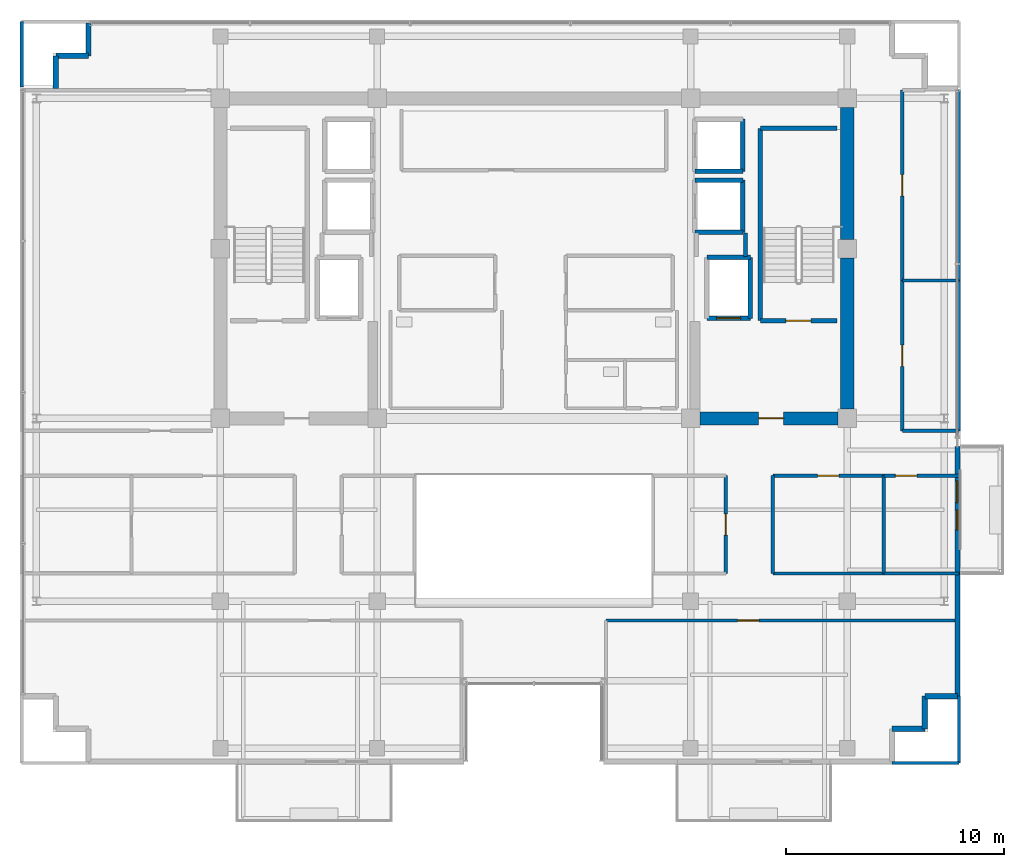
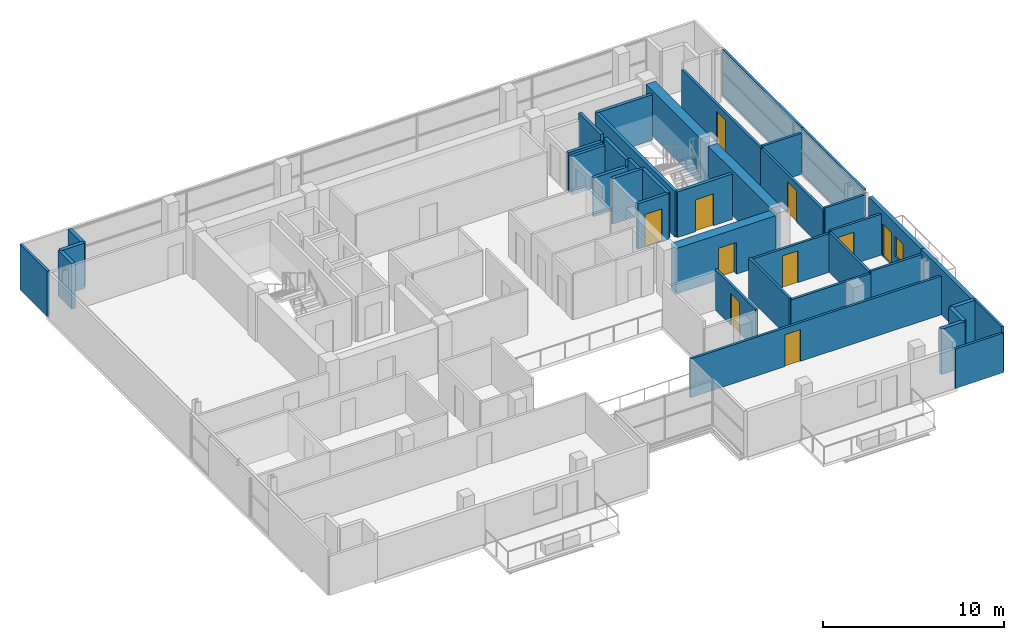
# One storey, part 18 of 23: 40 walls, 10 doors, 1 window, 11 openings.
"""IFC4 building model written with IfcOpenShell, lengths in metres."""

from ifc_helpers import new_model, si_unit, direction, frame, frame_2d, origin, place, context, subcontext, project, spatial, rectangle, extrude, source, transform, mapped, material, layer, layer_set, type_object, element, fill, save


model = new_model("IFC4")

# Units and contexts
model_context = context("Model", 3, precision=1e-05, world=origin(), true_north=direction((0.0, 1.0)))
body_context = subcontext(model_context, "Body", "Model", "MODEL_VIEW")
ifc_project = project(units=[si_unit("LENGTHUNIT", "METRE"), si_unit("AREAUNIT", "SQUARE_METRE"), si_unit("VOLUMEUNIT", "CUBIC_METRE"), si_unit("PLANEANGLEUNIT", "RADIAN"), si_unit("MASSUNIT", "GRAM", prefix="KILO")], contexts=[model_context])

# Site, building, storey
site_placement = place(None, origin())
site = spatial("IfcSite", under=ifc_project, at=site_placement, CompositionType="ELEMENT")
building_placement = place(site_placement, origin())
building = spatial("IfcBuilding", under=site, at=building_placement, Name="Zarnakvel Exchange Tower", CompositionType="ELEMENT")
storey_placement = place(building_placement, frame((0.0, 0.0, 212.199951171875)))
storey = spatial("IfcBuildingStorey", under=building, at=storey_placement, Name="L59", CompositionType="ELEMENT", Elevation=212.199951171875)

# Walls
ifc_material_1 = material(Name="Concrete C50/60", Category="concrete")
ifc_layer_1 = layer(ifc_material_1, 0.60009765625)
ifc_layer_set_1 = layer_set([ifc_layer_1], Name="Concrete C50/60")
wall_type_1 = type_object("IfcWallType", Name="CW-C5", PredefinedType="SHEAR", material=ifc_layer_set_1)
wall_1_placement = place(storey_placement, frame((14.39990234375, -0.77490234375, 0.0), z_axis=(0.0, 0.0, 1.0), x_axis=(0.0, 1.0, 0.0)))
element("IfcWall", 1, at=wall_1_placement, inside=storey, type_object=wall_type_1, Name="L59 Rear Core Shear Wall E1 (CW-C5)", PredefinedType="SHEAR", context=body_context, shape_type="SweptSolid", body=[
    extrude(rectangle(XDim=6.949951171875, YDim=0.60009765625, at=frame_2d((3.47509765625, 0.0))), origin(), (0.0, 0.0, 1.0), 3.074951171875),
])
wall_2_placement = place(storey_placement, frame((14.39990234375, 7.02490234375, 0.0), z_axis=(0.0, 0.0, 1.0), x_axis=(0.0, 1.0, 0.0)))
element("IfcWall", 2, at=wall_2_placement, inside=storey, type_object=wall_type_1, Name="L59 Rear Core Shear Wall E2 (CW-C5)", PredefinedType="SHEAR", context=body_context, shape_type="SweptSolid", body=[
    extrude(rectangle(XDim=6.050048828125, YDim=0.60009765625, at=frame_2d((3.02490234375, 0.0))), origin(), (0.0, 0.0, 1.0), 3.074951171875),
])

# Wall, opening, door
wall_3_placement = place(storey_placement, frame((13.97509765625, -1.199951171875, 0.0), z_axis=(0.0, 0.0, 1.0), x_axis=(-1.0, 0.0, 0.0)))
wall_3 = element("IfcWall", 3, at=wall_3_placement, inside=storey, type_object=wall_type_1, Name="L59 Rear Core Shear Wall SE (CW-C5)", PredefinedType="SHEAR", context=body_context, shape_type="SweptSolid", body=[
    extrude(rectangle(XDim=6.35009765625, YDim=0.60009765625, at=frame_2d((3.175048828125, 0.0))), origin(), (0.0, 0.0, 1.0), 3.074951171875),
])
opening_1_placement = place(wall_3_placement, frame((2.5, 0.0, 0.0)))
opening_1 = element("IfcOpeningElement", 4, at=opening_1_placement, cuts=wall_3, Name="Opening D-L59-04", PredefinedType="OPENING", context=body_context, shape_type="SweptSolid", body=[
    extrude(rectangle(XDim=1.14990234375, YDim=2.14990234375, at=frame_2d((0.574951171875, 1.074951171875))), frame((0.0, 0.31005859375, 0.0), z_axis=(0.0, -1.0, 0.0), x_axis=(1.0, 0.0, 0.0)), (0.0, 0.0, 1.0), 0.6201171875),
])
ifc_material_2 = material(Name="Painted Galvanised Steel S355", Category="steel")
door_type_1 = type_object("IfcDoorType", Name="DT-04", OperationType="NOTDEFINED", PredefinedType="DOOR", material=ifc_material_2)
shared_shape_1 = source(origin(), body_context, "Body", "SweptSolid", [
    extrude(rectangle(XDim=1.14990234375, YDim=2.14990234375, at=frame_2d((0.574951171875, 1.074951171875))), frame((0.0, 0.02490234375, 0.0), z_axis=(0.0, -1.0, 0.0), x_axis=(1.0, 0.0, 0.0)), (0.0, 0.0, 1.0), 0.050048828125),
])
door_1_placement = place(opening_1_placement, origin())
door_1 = element("IfcDoor", 5, at=door_1_placement, inside=storey, type_object=door_type_1, Name="L59 Firefighting Lobby East Door D-L59-04", OperationType="SINGLE_SWING_LEFT", OverallHeight=2.14990234375, OverallWidth=1.14990234375, PredefinedType="DOOR", context=body_context, shape_type="MappedRepresentation", body=[
    mapped(shared_shape_1, transform((0.0, 0.0, 0.0), x_axis=(1.0, 0.0, 0.0), y_axis=(0.0, 1.0, 0.0), z_axis=(0.0, 0.0, 1.0), scale=1.0)),
])
fill(opening_1, door_1)

# Wall, openings, door, window
ifc_material_3 = material(Name="Precast concrete C40/50", Category="concrete")
ifc_layer_2 = layer(ifc_material_3, 0.239990234375)
ifc_layer_set_2 = layer_set([ifc_layer_2], Name="Precast concrete C40/50")
wall_type_2 = type_object("IfcWallType", Name="EW-02", PredefinedType="SOLIDWALL", material=ifc_layer_set_2)
wall_4_placement = place(storey_placement, frame((19.4599609375, -2.5, 0.0), z_axis=(0.0, 0.0, 1.0), x_axis=(0.0, -1.0, 0.0)))
wall_4 = element("IfcWall", 6, at=wall_4_placement, inside=storey, type_object=wall_type_2, Name="L59 Exterior Precast Spandrel Wall EW-BAL-L59-E (EW-02)", PredefinedType="SOLIDWALL", context=body_context, shape_type="SweptSolid", body=[
    extrude(rectangle(XDim=5.800048828125, YDim=0.239990234375, at=frame_2d((2.89990234375, 0.0))), origin(), (0.0, 0.0, 1.0), 3.074951171875),
])
opening_2_placement = place(wall_4_placement, frame((1.56591796875, 0.0, 0.0)))
opening_2 = element("IfcOpeningElement", 7, at=opening_2_placement, cuts=wall_4, Name="Opening BD-L59-03", PredefinedType="OPENING", context=body_context, shape_type="SweptSolid", body=[
    extrude(rectangle(XDim=1.0, YDim=2.199951171875, at=frame_2d((0.5, 1.10009765625))), frame((0.0, 0.1298828125, 0.0), z_axis=(0.0, -1.0, 0.0), x_axis=(1.0, 0.0, 0.0)), (0.0, 0.0, 1.0), 0.260009765625),
])
opening_3_placement = place(wall_4_placement, frame((2.916015625, 0.0, 0.85009765625)))
opening_3 = element("IfcOpeningElement", 8, at=opening_3_placement, cuts=wall_4, Name="Opening WN-06", PredefinedType="OPENING", context=body_context, shape_type="SweptSolid", body=[
    extrude(rectangle(XDim=0.89990234375, YDim=1.35009765625, at=frame_2d((0.449951171875, 0.675048828125))), frame((0.0, 0.1298828125, 0.0), z_axis=(0.0, -1.0, 0.0), x_axis=(1.0, 0.0, 0.0)), (0.0, 0.0, 1.0), 0.260009765625),
])
ifc_material_4 = material(Name="Architectural Bronze Anodised Aluminium", Category="aluminium")
door_type_2 = type_object("IfcDoorType", Name="DT-09", OperationType="NOTDEFINED", PredefinedType="DOOR", material=ifc_material_4)
shared_shape_2 = source(origin(), body_context, "Body", "SweptSolid", [
    extrude(rectangle(XDim=1.0, YDim=2.199951171875, at=frame_2d((0.5, 1.10009765625))), frame((0.0, 0.02490234375, 0.0), z_axis=(0.0, -1.0, 0.0), x_axis=(1.0, 0.0, 0.0)), (0.0, 0.0, 1.0), 0.050048828125),
])
door_2_placement = place(opening_2_placement, origin())
door_2 = element("IfcDoor", 9, at=door_2_placement, inside=storey, type_object=door_type_2, Name="L59 Planted Loggia Balcony Door BD-L59-03", OperationType="SINGLE_SWING_LEFT", OverallHeight=2.199951171875, OverallWidth=1.0, PredefinedType="DOOR", context=body_context, shape_type="MappedRepresentation", body=[
    mapped(shared_shape_2, transform((0.0, 0.0, 0.0), x_axis=(1.0, 0.0, 0.0), y_axis=(0.0, 1.0, 0.0), z_axis=(0.0, 0.0, 1.0), scale=1.0)),
])
fill(opening_2, door_2)
ifc_material_5 = material(Name="Double Low-E Laminated Vision Glass", Category="glass")
window_type = type_object("IfcWindowType", Name="WN-06", PartitioningType="SINGLE_PANEL", PredefinedType="WINDOW", material=ifc_material_5)
shared_shape_3 = source(origin(), body_context, "Body", "SweptSolid", [
    extrude(rectangle(XDim=0.89990234375, YDim=1.35009765625, at=frame_2d((0.449951171875, 0.675048828125))), frame((0.0, 0.030029296875, 0.0), z_axis=(0.0, -1.0, 0.0), x_axis=(1.0, 0.0, 0.0)), (0.0, 0.0, 1.0), 0.06005859375),
])
window_placement = place(opening_3_placement, origin())
window = element("IfcWindow", 10, at=window_placement, inside=storey, type_object=window_type, Name="L59 Loggia Daylight Window (WN-06)", OverallHeight=1.35009765625, OverallWidth=0.89990234375, PartitioningType="SINGLE_PANEL", PredefinedType="WINDOW", context=body_context, shape_type="MappedRepresentation", body=[
    mapped(shared_shape_3, transform((0.0, 0.0, 0.0), x_axis=(1.0, 0.0, 0.0), y_axis=(0.0, 1.0, 0.0), z_axis=(0.0, 0.0, 1.0), scale=1.0)),
])
fill(opening_3, window)

# Walls
for number, where, z_axis, x_axis, name in (
    (11, (-21.9599609375, 15.4599609375, 0.0), (0.0, 0.0, 1.0), (0.0, -1.0, 0.0), "L59 Exterior Precast Spandrel Wall EWC-L59-02 (EW-02)"),
    (12, (-20.4599609375, 15.4599609375, 0.0), (0.0, 0.0, 1.0), (-1.0, 0.0, 0.0), "L59 Exterior Precast Spandrel Wall EWC-L59-03 (EW-02)"),
    (13, (-20.4599609375, 16.9599609375, 0.0), (0.0, 0.0, 1.0), (0.0, -1.0, 0.0), "L59 Exterior Precast Spandrel Wall EWC-L59-04 (EW-02)"),
):
    element("IfcWall", number, at=place(storey_placement, frame(where, z_axis=z_axis, x_axis=x_axis)), inside=storey, type_object=wall_type_2, Name=name, PredefinedType="SOLIDWALL", context=body_context, shape_type="SweptSolid", body=[
        extrude(rectangle(XDim=1.5, YDim=0.239990234375, at=frame_2d((0.75, 0.0))), origin(), (0.0, 0.0, 1.0), 3.074951171875),
    ])
wall_5_placement = place(storey_placement, frame((19.4599609375, -13.9599609375, 0.0), z_axis=(0.0, 0.0, 1.0), x_axis=(0.0, 1.0, 0.0)))
element("IfcWall", 14, at=wall_5_placement, inside=storey, type_object=wall_type_2, Name="L59 Exterior Precast Spandrel Wall EWC-L59-10 (EW-02)", PredefinedType="SOLIDWALL", context=body_context, shape_type="SweptSolid", body=[
    extrude(rectangle(XDim=5.659912109375, YDim=0.239990234375, at=frame_2d((2.830078125, 0.0))), origin(), (0.0, 0.0, 1.0), 3.074951171875),
])
for number, where, z_axis, x_axis, name in (
    (15, (17.9599609375, -13.9599609375, 0.0), (0.0, 0.0, 1.0), (1.0, 0.0, 0.0), "L59 Exterior Precast Spandrel Wall EWC-L59-11 (EW-02)"),
    (16, (17.9599609375, -15.4599609375, 0.0), (0.0, 0.0, 1.0), (0.0, 1.0, 0.0), "L59 Exterior Precast Spandrel Wall EWC-L59-12 (EW-02)"),
    (17, (16.4599609375, -15.4599609375, 0.0), (0.0, 0.0, 1.0), (1.0, 0.0, 0.0), "L59 Exterior Precast Spandrel Wall EWC-L59-13 (EW-02)"),
):
    element("IfcWall", number, at=place(storey_placement, frame(where, z_axis=z_axis, x_axis=x_axis)), inside=storey, type_object=wall_type_2, Name=name, PredefinedType="SOLIDWALL", context=body_context, shape_type="SweptSolid", body=[
        extrude(rectangle(XDim=1.5, YDim=0.239990234375, at=frame_2d((0.75, 0.0))), origin(), (0.0, 0.0, 1.0), 3.074951171875),
    ])
ifc_material_6 = material(Name="Fire-Rated Gypsum Stud Partition", Category="gypsum")
ifc_layer_3 = layer(ifc_material_6, 0.14990234375)
ifc_layer_set_3 = layer_set([ifc_layer_3], Name="Fire-Rated Gypsum Stud Partition")
wall_type_3 = type_object("IfcWallType", Name="PT-01", PredefinedType="PARTITIONING", material=ifc_layer_set_3)
wall_6_placement = place(storey_placement, frame((16.077880859375, -8.320068359375, 0.0), z_axis=(0.0, 0.0, 1.0), x_axis=(-1.0, 0.0, 0.0)))
element("IfcWall", 18, at=wall_6_placement, inside=storey, type_object=wall_type_3, Name="L59 Partition Wall PWALL-L59-044 (PT-01)", PredefinedType="PARTITIONING", context=body_context, shape_type="SweptSolid", body=[
    extrude(rectangle(XDim=5.097900390625, YDim=0.14990234375, at=frame_2d((2.548828125, 0.0))), origin(), (0.0, 0.0, 1.0), 2.614990234375),
])

# Wall, opening, door
wall_7_placement = place(storey_placement, frame((10.97998046875, -3.830078125, 0.0), z_axis=(0.0, 0.0, 1.0), x_axis=(1.0, 0.0, 0.0)))
wall_7 = element("IfcWall", 19, at=wall_7_placement, inside=storey, type_object=wall_type_3, Name="L59 Partition Wall PWALL-L59-045 (PT-01)", PredefinedType="PARTITIONING", context=body_context, shape_type="SweptSolid", body=[
    extrude(rectangle(XDim=5.097900390625, YDim=0.14990234375, at=frame_2d((2.548828125, 0.0))), origin(), (0.0, 0.0, 1.0), 2.614990234375),
])
opening_4_placement = place(wall_7_placement, frame((2.05908203125, 0.0, 0.0)))
opening_4 = element("IfcOpeningElement", 20, at=opening_4_placement, cuts=wall_7, Name="Opening D-L59-15", PredefinedType="OPENING", context=body_context, shape_type="SweptSolid", body=[
    extrude(rectangle(XDim=0.97998046875, YDim=2.14990234375, at=frame_2d((0.489990234375, 1.074951171875))), frame((0.0, 0.0849609375, 0.0), z_axis=(0.0, -1.0, 0.0), x_axis=(1.0, 0.0, 0.0)), (0.0, 0.0, 1.0), 0.169921875),
])
ifc_material_7 = material(Name="Timber Acoustic Veneer", Category="wood")
door_type_3 = type_object("IfcDoorType", Name="DT-05", OperationType="NOTDEFINED", PredefinedType="DOOR", material=ifc_material_7)
shared_shape_4 = source(origin(), body_context, "Body", "SweptSolid", [
    extrude(rectangle(XDim=0.97998046875, YDim=2.14990234375, at=frame_2d((0.489990234375, 1.074951171875))), frame((0.0, 0.02490234375, 0.0), z_axis=(0.0, -1.0, 0.0), x_axis=(1.0, 0.0, 0.0)), (0.0, 0.0, 1.0), 0.050048828125),
])
door_3_placement = place(opening_4_placement, origin())
door_3 = element("IfcDoor", 21, at=door_3_placement, inside=storey, type_object=door_type_3, Name="L59 Executive Office Door D-L59-15", OperationType="SINGLE_SWING_RIGHT", OverallHeight=2.14990234375, OverallWidth=0.97998046875, PredefinedType="DOOR", context=body_context, shape_type="MappedRepresentation", body=[
    mapped(shared_shape_4, transform((0.0, 0.0, 0.0), x_axis=(1.0, 0.0, 0.0), y_axis=(0.0, 1.0, 0.0), z_axis=(0.0, 0.0, 1.0), scale=1.0)),
])
fill(opening_4, door_3)

# Walls
for number, where, z_axis, x_axis, name in (
    (22, (10.97998046875, -8.320068359375, 0.0), (0.0, 0.0, 1.0), (0.0, 1.0, 0.0), "L59 Partition Wall PWALL-L59-046 (PT-01)"),
    (23, (16.077880859375, -3.830078125, 0.0), (0.0, 0.0, 1.0), (0.0, -1.0, 0.0), "L59 Partition Wall PWALL-L59-047 (PT-01)"),
):
    element("IfcWall", number, at=place(storey_placement, frame(where, z_axis=z_axis, x_axis=x_axis)), inside=storey, type_object=wall_type_3, Name=name, PredefinedType="PARTITIONING", context=body_context, shape_type="SweptSolid", body=[
        extrude(rectangle(XDim=4.489990234375, YDim=0.14990234375, at=frame_2d((2.2451171875, 0.0))), origin(), (0.0, 0.0, 1.0), 2.705078125),
    ])
wall_8_placement = place(storey_placement, frame((19.530029296875, -8.320068359375, 0.0), z_axis=(0.0, 0.0, 1.0), x_axis=(-1.0, 0.0, 0.0)))
element("IfcWall", 24, at=wall_8_placement, inside=storey, type_object=wall_type_3, Name="L59 Partition Wall PWALL-L59-048 (PT-01)", PredefinedType="PARTITIONING", context=body_context, shape_type="SweptSolid", body=[
    extrude(rectangle(XDim=3.4521484375, YDim=0.14990234375, at=frame_2d((1.72607421875, 0.0))), origin(), (0.0, 0.0, 1.0), 2.76513671875),
])

# Wall, opening, door
wall_9_placement = place(storey_placement, frame((16.077880859375, -3.830078125, 0.0), z_axis=(0.0, 0.0, 1.0), x_axis=(1.0, 0.0, 0.0)))
wall_9 = element("IfcWall", 25, at=wall_9_placement, inside=storey, type_object=wall_type_3, Name="L59 Partition Wall PWALL-L59-049 (PT-01)", PredefinedType="PARTITIONING", context=body_context, shape_type="SweptSolid", body=[
    extrude(rectangle(XDim=3.4521484375, YDim=0.14990234375, at=frame_2d((1.72607421875, 0.0))), origin(), (0.0, 0.0, 1.0), 2.76513671875),
])
opening_5_placement = place(wall_9_placement, frame((0.535888671875, 0.0, 0.0)))
opening_5 = element("IfcOpeningElement", 26, at=opening_5_placement, cuts=wall_9, Name="Opening D-L59-16", PredefinedType="OPENING", context=body_context, shape_type="SweptSolid", body=[
    extrude(rectangle(XDim=0.97998046875, YDim=2.14990234375, at=frame_2d((0.489990234375, 1.074951171875))), frame((0.0, 0.0849609375, 0.0), z_axis=(0.0, -1.0, 0.0), x_axis=(1.0, 0.0, 0.0)), (0.0, 0.0, 1.0), 0.169921875),
])
door_4_placement = place(opening_5_placement, origin())
door_4 = element("IfcDoor", 27, at=door_4_placement, inside=storey, type_object=door_type_3, Name="L59 Meeting Room Door D-L59-16", OperationType="SINGLE_SWING_LEFT", OverallHeight=2.14990234375, OverallWidth=0.97998046875, PredefinedType="DOOR", context=body_context, shape_type="MappedRepresentation", body=[
    mapped(shared_shape_4, transform((0.0, 0.0, 0.0), x_axis=(1.0, 0.0, 0.0), y_axis=(0.0, 1.0, 0.0), z_axis=(0.0, 0.0, 1.0), scale=1.0)),
])
fill(opening_5, door_4)

# Wall
wall_10_placement = place(storey_placement, frame((19.530029296875, -17.030029296875, 0.0), z_axis=(0.0, 0.0, 1.0), x_axis=(-1.0, 0.0, 0.0)))
element("IfcWall", 28, at=wall_10_placement, inside=storey, type_object=wall_type_3, Name="L59 Partition Wall PWALL-L59-051 (PT-01)", PredefinedType="PARTITIONING", context=body_context, shape_type="SweptSolid", body=[
    extrude(rectangle(XDim=3.070068359375, YDim=0.14990234375, at=frame_2d((1.53515625, 0.0))), origin(), (0.0, 0.0, 1.0), 2.6650390625),
])

# Wall, opening, door
wall_11_placement = place(storey_placement, frame((3.320068359375, -10.47998046875, 0.0), z_axis=(0.0, 0.0, 1.0), x_axis=(1.0, 0.0, 0.0)))
wall_11 = element("IfcWall", 29, at=wall_11_placement, inside=storey, type_object=wall_type_3, Name="L59 Partition Wall PWALL-L59-052 (PT-01)", PredefinedType="PARTITIONING", context=body_context, shape_type="SweptSolid", body=[
    extrude(rectangle(XDim=16.2099609375, YDim=0.14990234375, at=frame_2d((8.10498046875, 0.0))), origin(), (0.0, 0.0, 1.0), 2.614990234375),
])
opening_6_placement = place(wall_11_placement, frame((6.0400390625, 0.0, 0.0)))
opening_6 = element("IfcOpeningElement", 30, at=opening_6_placement, cuts=wall_11, Name="Opening D-L59-17", PredefinedType="OPENING", context=body_context, shape_type="SweptSolid", body=[
    extrude(rectangle(XDim=0.97998046875, YDim=2.14990234375, at=frame_2d((0.489990234375, 1.074951171875))), frame((0.0, 0.0849609375, 0.0), z_axis=(0.0, -1.0, 0.0), x_axis=(1.0, 0.0, 0.0)), (0.0, 0.0, 1.0), 0.169921875),
])
door_5_placement = place(opening_6_placement, origin())
door_5 = element("IfcDoor", 31, at=door_5_placement, inside=storey, type_object=door_type_3, Name="L59 Clearing Office Door D-L59-17", OperationType="SINGLE_SWING_RIGHT", OverallHeight=2.14990234375, OverallWidth=0.97998046875, PredefinedType="DOOR", context=body_context, shape_type="MappedRepresentation", body=[
    mapped(shared_shape_4, transform((0.0, 0.0, 0.0), x_axis=(1.0, 0.0, 0.0), y_axis=(0.0, 1.0, 0.0), z_axis=(0.0, 0.0, 1.0), scale=1.0)),
])
fill(opening_6, door_5)

# Wall
wall_12_placement = place(storey_placement, frame((19.530029296875, -13.9599609375, 0.0), z_axis=(0.0, 0.0, 1.0), x_axis=(0.0, -1.0, 0.0)))
element("IfcWall", 32, at=wall_12_placement, inside=storey, type_object=wall_type_3, Name="L59 Partition Wall PWALL-L59-054 (PT-01)", PredefinedType="PARTITIONING", context=body_context, shape_type="SweptSolid", body=[
    extrude(rectangle(XDim=3.070068359375, YDim=0.14990234375, at=frame_2d((1.53515625, 0.0))), origin(), (0.0, 0.0, 1.0), 3.074951171875),
])

# Wall, opening, door
wall_13_placement = place(storey_placement, frame((8.820068359375, -3.830078125, 0.0), z_axis=(0.0, 0.0, 1.0), x_axis=(0.0, -1.0, 0.0)))
wall_13 = element("IfcWall", 33, at=wall_13_placement, inside=storey, type_object=wall_type_3, Name="L59 Partition Wall PWALL-L59-062 (PT-01)", PredefinedType="PARTITIONING", context=body_context, shape_type="SweptSolid", body=[
    extrude(rectangle(XDim=4.489990234375, YDim=0.14990234375, at=frame_2d((2.2451171875, 0.0))), origin(), (0.0, 0.0, 1.0), 2.705078125),
])
opening_7_placement = place(wall_13_placement, frame((1.7548828125, 0.0, 0.0)))
opening_7 = element("IfcOpeningElement", 34, at=opening_7_placement, cuts=wall_13, Name="Opening D-L59-19", PredefinedType="OPENING", context=body_context, shape_type="SweptSolid", body=[
    extrude(rectangle(XDim=0.97998046875, YDim=2.14990234375, at=frame_2d((0.489990234375, 1.074951171875))), frame((0.0, 0.0849609375, 0.0), z_axis=(0.0, -1.0, 0.0), x_axis=(1.0, 0.0, 0.0)), (0.0, 0.0, 1.0), 0.169921875),
])
door_6_placement = place(opening_7_placement, origin())
door_6 = element("IfcDoor", 35, at=door_6_placement, inside=storey, type_object=door_type_3, Name="L59 Settlement Office Door D-L59-19", OperationType="SINGLE_SWING_RIGHT", OverallHeight=2.14990234375, OverallWidth=0.97998046875, PredefinedType="DOOR", context=body_context, shape_type="MappedRepresentation", body=[
    mapped(shared_shape_4, transform((0.0, 0.0, 0.0), x_axis=(1.0, 0.0, 0.0), y_axis=(0.0, 1.0, 0.0), z_axis=(0.0, 0.0, 1.0), scale=1.0)),
])
fill(opening_7, door_6)

# Walls
for number, where, z_axis, x_axis, name in (
    (36, (19.530029296875, -1.77001953125, 0.0), (0.0, 0.0, 1.0), (-1.0, 0.0, 0.0), "L59 Partition Wall PWALL-L59-066 (PT-01)"),
    (37, (16.929931640625, 5.13525390625, 0.0), (0.0, 0.0, 1.0), (1.0, 0.0, 0.0), "L59 Partition Wall PWALL-L59-067 (PT-01)"),
):
    element("IfcWall", number, at=place(storey_placement, frame(where, z_axis=z_axis, x_axis=x_axis)), inside=storey, type_object=wall_type_3, Name=name, PredefinedType="PARTITIONING", context=body_context, shape_type="SweptSolid", body=[
        extrude(rectangle(XDim=2.60009765625, YDim=0.14990234375, at=frame_2d((1.300048828125, 0.0))), origin(), (0.0, 0.0, 1.0), 2.76513671875),
    ])

# Wall, opening, door
wall_14_placement = place(storey_placement, frame((16.929931640625, -1.77001953125, 0.0), z_axis=(0.0, 0.0, 1.0), x_axis=(0.0, 1.0, 0.0)))
wall_14 = element("IfcWall", 38, at=wall_14_placement, inside=storey, type_object=wall_type_3, Name="L59 Partition Wall PWALL-L59-068 (PT-01)", PredefinedType="PARTITIONING", context=body_context, shape_type="SweptSolid", body=[
    extrude(rectangle(XDim=6.9052734375, YDim=0.14990234375, at=frame_2d((3.45263671875, 0.0))), origin(), (0.0, 0.0, 1.0), 2.614990234375),
])
opening_8_placement = place(wall_14_placement, frame((2.962890625, 0.0, 0.0)))
opening_8 = element("IfcOpeningElement", 39, at=opening_8_placement, cuts=wall_14, Name="Opening D-L59-21", PredefinedType="OPENING", context=body_context, shape_type="SweptSolid", body=[
    extrude(rectangle(XDim=0.97998046875, YDim=2.14990234375, at=frame_2d((0.489990234375, 1.074951171875))), frame((0.0, 0.0849609375, 0.0), z_axis=(0.0, -1.0, 0.0), x_axis=(1.0, 0.0, 0.0)), (0.0, 0.0, 1.0), 0.169921875),
])
door_7_placement = place(opening_8_placement, origin())
door_7 = element("IfcDoor", 40, at=door_7_placement, inside=storey, type_object=door_type_3, Name="L59 Breakout Pantry Door D-L59-21", OperationType="SINGLE_SWING_RIGHT", OverallHeight=2.14990234375, OverallWidth=0.97998046875, PredefinedType="DOOR", context=body_context, shape_type="MappedRepresentation", body=[
    mapped(shared_shape_4, transform((0.0, 0.0, 0.0), x_axis=(1.0, 0.0, 0.0), y_axis=(0.0, 1.0, 0.0), z_axis=(0.0, 0.0, 1.0), scale=1.0)),
])
fill(opening_8, door_7)

# Wall
wall_15_placement = place(storey_placement, frame((19.530029296875, 5.13525390625, 0.0), z_axis=(0.0, 0.0, 1.0), x_axis=(0.0, -1.0, 0.0)))
element("IfcWall", 41, at=wall_15_placement, inside=storey, type_object=wall_type_3, Name="L59 Partition Wall PWALL-L59-069 (PT-01)", PredefinedType="PARTITIONING", context=body_context, shape_type="SweptSolid", body=[
    extrude(rectangle(XDim=6.9052734375, YDim=0.14990234375, at=frame_2d((3.45263671875, 0.0))), origin(), (0.0, 0.0, 1.0), 3.074951171875),
])

# Wall, opening, door
wall_16_placement = place(storey_placement, frame((16.929931640625, 5.13525390625, 0.0), z_axis=(0.0, 0.0, 1.0), x_axis=(0.0, 1.0, 0.0)))
wall_16 = element("IfcWall", 42, at=wall_16_placement, inside=storey, type_object=wall_type_3, Name="L59 Partition Wall PWALL-L59-071 (PT-01)", PredefinedType="PARTITIONING", context=body_context, shape_type="SweptSolid", body=[
    extrude(rectangle(XDim=8.74462890625, YDim=0.14990234375, at=frame_2d((4.372314453125, 0.0))), origin(), (0.0, 0.0, 1.0), 2.614990234375),
])
opening_9_placement = place(wall_16_placement, frame((3.8828125, 0.0, 0.0)))
opening_9 = element("IfcOpeningElement", 43, at=opening_9_placement, cuts=wall_16, Name="Opening D-L59-22", PredefinedType="OPENING", context=body_context, shape_type="SweptSolid", body=[
    extrude(rectangle(XDim=0.97998046875, YDim=2.14990234375, at=frame_2d((0.489990234375, 1.074951171875))), frame((0.0, 0.0849609375, 0.0), z_axis=(0.0, -1.0, 0.0), x_axis=(1.0, 0.0, 0.0)), (0.0, 0.0, 1.0), 0.169921875),
])
door_8_placement = place(opening_9_placement, origin())
door_8 = element("IfcDoor", 44, at=door_8_placement, inside=storey, type_object=door_type_3, Name="L59 Settlement Office Door D-L59-22", OperationType="SINGLE_SWING_LEFT", OverallHeight=2.14990234375, OverallWidth=0.97998046875, PredefinedType="DOOR", context=body_context, shape_type="MappedRepresentation", body=[
    mapped(shared_shape_4, transform((0.0, 0.0, 0.0), x_axis=(1.0, 0.0, 0.0), y_axis=(0.0, 1.0, 0.0), z_axis=(0.0, 0.0, 1.0), scale=1.0)),
])
fill(opening_9, door_8)

# Walls
wall_17_placement = place(storey_placement, frame((19.530029296875, 13.8798828125, 0.0), z_axis=(0.0, 0.0, 1.0), x_axis=(0.0, -1.0, 0.0)))
element("IfcWall", 45, at=wall_17_placement, inside=storey, type_object=wall_type_3, Name="L59 Partition Wall PWALL-L59-072 (PT-01)", PredefinedType="PARTITIONING", context=body_context, shape_type="SweptSolid", body=[
    extrude(rectangle(XDim=8.74462890625, YDim=0.14990234375, at=frame_2d((4.372314453125, 0.0))), origin(), (0.0, 0.0, 1.0), 3.074951171875),
])
wall_18_placement = place(storey_placement, frame((-23.530029296875, 14.030029296875, 0.0), z_axis=(0.0, 0.0, 1.0), x_axis=(0.0, 1.0, 0.0)))
element("IfcWall", 46, at=wall_18_placement, inside=storey, type_object=wall_type_3, Name="L59 Partition Wall PWALL-L59-074 (PT-01)", PredefinedType="PARTITIONING", context=body_context, shape_type="SweptSolid", body=[
    extrude(rectangle(XDim=3.0, YDim=0.14990234375, at=frame_2d((1.5, 0.0))), origin(), (0.0, 0.0, 1.0), 3.074951171875),
])
ifc_layer_4 = layer(ifc_material_6, 0.179931640625)
ifc_layer_set_4 = layer_set([ifc_layer_4], Name="Fire-Rated Gypsum Stud Partition")
wall_type_4 = type_object("IfcWallType", Name="PT-02", PredefinedType="PARTITIONING", material=ifc_layer_set_4)
wall_19_placement = place(storey_placement, frame((9.72998046875, 7.330078125, 0.0), z_axis=(0.0, 0.0, 1.0), x_axis=(0.0, -1.0, 0.0)))
element("IfcWall", 47, at=wall_19_placement, inside=storey, type_object=wall_type_4, Name="L59 Partition Wall PWALL-L59-010 (PT-02)", PredefinedType="PARTITIONING", context=body_context, shape_type="SweptSolid", body=[
    extrude(rectangle(XDim=1.090087890625, YDim=0.179931640625, at=frame_2d((0.544921875, 0.0))), origin(), (0.0, 0.0, 1.0), 3.074951171875),
])

# Wall, opening, door
ifc_material_8 = material(Name="Concrete C40/50", Category="concrete")
ifc_layer_5 = layer(ifc_material_8, 0.199951171875)
ifc_layer_set_5 = layer_set([ifc_layer_5], Name="Concrete C40/50")
wall_type_5 = type_object("IfcWallType", Name="SW-01", PredefinedType="SOLIDWALL", material=ifc_layer_set_5)
wall_20_placement = place(storey_placement, frame((9.949951171875, 3.39990234375, 0.0), z_axis=(0.0, 0.0, 1.0), x_axis=(-1.0, 0.0, 0.0)))
wall_20 = element("IfcWall", 48, at=wall_20_placement, inside=storey, type_object=wall_type_5, Name="L59 FL-02 Hoistway Wall South", PredefinedType="SOLIDWALL", context=body_context, shape_type="SweptSolid", body=[
    extrude(rectangle(XDim=2.0, YDim=0.199951171875, at=frame_2d((1.0, 0.0))), origin(), (0.0, 0.0, 1.0), 3.074951171875),
])
opening_10_placement = place(wall_20_placement, frame((0.449951171875, 0.0, 0.0)))
opening_10 = element("IfcOpeningElement", 49, at=opening_10_placement, cuts=wall_20, Name="Opening LD-FL-02-L59", PredefinedType="OPENING", context=body_context, shape_type="SweptSolid", body=[
    extrude(rectangle(XDim=1.10009765625, YDim=2.199951171875, at=frame_2d((0.550048828125, 1.10009765625))), frame((0.0, 0.10986328125, 0.0), z_axis=(0.0, -1.0, 0.0), x_axis=(1.0, 0.0, 0.0)), (0.0, 0.0, 1.0), 0.219970703125),
])
ifc_material_9 = material(Name="Brushed Stainless Steel", Category="steel")
door_type_4 = type_object("IfcDoorType", Name="LDT-01", OperationType="NOTDEFINED", PredefinedType="DOOR", material=ifc_material_9)
shared_shape_5 = source(origin(), body_context, "Body", "SweptSolid", [
    extrude(rectangle(XDim=1.10009765625, YDim=2.199951171875, at=frame_2d((0.550048828125, 1.10009765625))), frame((0.0, 0.02490234375, 0.0), z_axis=(0.0, -1.0, 0.0), x_axis=(1.0, 0.0, 0.0)), (0.0, 0.0, 1.0), 0.050048828125),
])
door_9_placement = place(opening_10_placement, origin())
door_9 = element("IfcDoor", 50, at=door_9_placement, inside=storey, type_object=door_type_4, Name="L59 FL-02 Lift Landing Door LD-FL-02-L59", OperationType="DOUBLE_DOOR_SLIDING", OverallHeight=2.199951171875, OverallWidth=1.10009765625, PredefinedType="DOOR", context=body_context, shape_type="MappedRepresentation", body=[
    mapped(shared_shape_5, transform((0.0, 0.0, 0.0), x_axis=(1.0, 0.0, 0.0), y_axis=(0.0, 1.0, 0.0), z_axis=(0.0, 0.0, 1.0), scale=1.0)),
])
fill(opening_10, door_9)

# Walls
wall_21_placement = place(storey_placement, frame((7.949951171875, 6.199951171875, 0.0), z_axis=(0.0, 0.0, 1.0), x_axis=(1.0, 0.0, 0.0)))
element("IfcWall", 51, at=wall_21_placement, inside=storey, type_object=wall_type_5, Name="L59 FL-02 Hoistway Wall North", PredefinedType="SOLIDWALL", context=body_context, shape_type="SweptSolid", body=[
    extrude(rectangle(XDim=2.0, YDim=0.199951171875, at=frame_2d((1.0, 0.0))), origin(), (0.0, 0.0, 1.0), 3.074951171875),
])
wall_22_placement = place(storey_placement, frame((9.949951171875, 6.199951171875, 0.0), z_axis=(0.0, 0.0, 1.0), x_axis=(0.0, -1.0, 0.0)))
element("IfcWall", 52, at=wall_22_placement, inside=storey, type_object=wall_type_5, Name="L59 FL-02 Hoistway Wall East", PredefinedType="SOLIDWALL", context=body_context, shape_type="SweptSolid", body=[
    extrude(rectangle(XDim=2.800048828125, YDim=0.199951171875, at=frame_2d((1.39990234375, 0.0))), origin(), (0.0, 0.0, 1.0), 3.074951171875),
])
for number, where, z_axis, x_axis, name in (
    (53, (9.60009765625, 7.35009765625, 0.0), (0.0, 0.0, 1.0), (-1.0, 0.0, 0.0), "L59 PL-11 Hoistway Wall South"),
    (54, (7.39990234375, 9.75, 0.0), (0.0, 0.0, 1.0), (1.0, 0.0, 0.0), "L59 PL-11 Hoistway Wall North"),
):
    element("IfcWall", number, at=place(storey_placement, frame(where, z_axis=z_axis, x_axis=x_axis)), inside=storey, type_object=wall_type_5, Name=name, PredefinedType="SOLIDWALL", context=body_context, shape_type="SweptSolid", body=[
        extrude(rectangle(XDim=2.2001953125, YDim=0.199951171875, at=frame_2d((1.10009765625, 0.0))), origin(), (0.0, 0.0, 1.0), 2.614990234375),
    ])
wall_23_placement = place(storey_placement, frame((9.60009765625, 9.75, 0.0), z_axis=(0.0, 0.0, 1.0), x_axis=(0.0, -1.0, 0.0)))
element("IfcWall", 55, at=wall_23_placement, inside=storey, type_object=wall_type_5, Name="L59 PL-11 Hoistway Wall East", PredefinedType="SOLIDWALL", context=body_context, shape_type="SweptSolid", body=[
    extrude(rectangle(XDim=2.39990234375, YDim=0.199951171875, at=frame_2d((1.199951171875, 0.0))), origin(), (0.0, 0.0, 1.0), 3.074951171875),
])
wall_24_placement = place(storey_placement, frame((9.60009765625, 10.14990234375, 0.0), z_axis=(0.0, 0.0, 1.0), x_axis=(-1.0, 0.0, 0.0)))
element("IfcWall", 56, at=wall_24_placement, inside=storey, type_object=wall_type_5, Name="L59 PL-12 Hoistway Wall South", PredefinedType="SOLIDWALL", context=body_context, shape_type="SweptSolid", body=[
    extrude(rectangle(XDim=2.2001953125, YDim=0.199951171875, at=frame_2d((1.10009765625, 0.0))), origin(), (0.0, 0.0, 1.0), 2.614990234375),
])
wall_25_placement = place(storey_placement, frame((9.60009765625, 12.550048828125, 0.0), z_axis=(0.0, 0.0, 1.0), x_axis=(0.0, -1.0, 0.0)))
element("IfcWall", 57, at=wall_25_placement, inside=storey, type_object=wall_type_5, Name="L59 PL-12 Hoistway Wall East", PredefinedType="SOLIDWALL", context=body_context, shape_type="SweptSolid", body=[
    extrude(rectangle(XDim=2.400146484375, YDim=0.199951171875, at=frame_2d((1.2001953125, 0.0))), origin(), (0.0, 0.0, 1.0), 3.074951171875),
])

# Wall, opening, door
ifc_layer_6 = layer(ifc_material_8, 0.199951171875)
ifc_layer_set_6 = layer_set([ifc_layer_6], Name="Concrete C40/50")
wall_type_6 = type_object("IfcWallType", Name="SW-02", PredefinedType="SOLIDWALL", material=ifc_layer_set_6)
wall_26_placement = place(storey_placement, frame((13.929931640625, 3.2900390625, 0.0), z_axis=(0.0, 0.0, 1.0), x_axis=(-1.0, 0.0, 0.0)))
wall_26 = element("IfcWall", 58, at=wall_26_placement, inside=storey, type_object=wall_type_6, Name="L59 Stairwell Core Wall PWALL-L59-004 (SW-02)", PredefinedType="SOLIDWALL", context=body_context, shape_type="SweptSolid", body=[
    extrude(rectangle(XDim=3.52001953125, YDim=0.199951171875, at=frame_2d((1.760009765625, 0.0))), origin(), (0.0, 0.0, 1.0), 3.074951171875),
])
opening_11_placement = place(wall_26_placement, frame((1.205078125, 0.0, 0.0)))
opening_11 = element("IfcOpeningElement", 59, at=opening_11_placement, cuts=wall_26, Name="Opening D-L59-02", PredefinedType="OPENING", context=body_context, shape_type="SweptSolid", body=[
    extrude(rectangle(XDim=1.14990234375, YDim=2.14990234375, at=frame_2d((0.574951171875, 1.074951171875))), frame((0.0, 0.10986328125, 0.0), z_axis=(0.0, -1.0, 0.0), x_axis=(1.0, 0.0, 0.0)), (0.0, 0.0, 1.0), 0.219970703125),
])
door_10_placement = place(opening_11_placement, origin())
door_10 = element("IfcDoor", 60, at=door_10_placement, inside=storey, type_object=door_type_1, Name="L59 Stairwell ST-02 Door D-L59-02", OperationType="SINGLE_SWING_LEFT", OverallHeight=2.14990234375, OverallWidth=1.14990234375, PredefinedType="DOOR", context=body_context, shape_type="MappedRepresentation", body=[
    mapped(shared_shape_1, transform((0.0, 0.0, 0.0), x_axis=(1.0, 0.0, 0.0), y_axis=(0.0, 1.0, 0.0), z_axis=(0.0, 0.0, 1.0), scale=1.0)),
])
fill(opening_11, door_10)

# Walls
wall_27_placement = place(storey_placement, frame((10.409912109375, 12.1298828125, 0.0), z_axis=(0.0, 0.0, 1.0), x_axis=(1.0, 0.0, 0.0)))
element("IfcWall", 61, at=wall_27_placement, inside=storey, type_object=wall_type_6, Name="L59 Stairwell Core Wall PWALL-L59-005 (SW-02)", PredefinedType="SOLIDWALL", context=body_context, shape_type="SweptSolid", body=[
    extrude(rectangle(XDim=3.52001953125, YDim=0.199951171875, at=frame_2d((1.760009765625, 0.0))), origin(), (0.0, 0.0, 1.0), 3.074951171875),
])
wall_28_placement = place(storey_placement, frame((10.409912109375, 3.2900390625, 0.0), z_axis=(0.0, 0.0, 1.0), x_axis=(0.0, 1.0, 0.0)))
element("IfcWall", 62, at=wall_28_placement, inside=storey, type_object=wall_type_6, Name="L59 Stairwell Core Wall PWALL-L59-006 (SW-02)", PredefinedType="SOLIDWALL", context=body_context, shape_type="SweptSolid", body=[
    extrude(rectangle(XDim=8.83984375, YDim=0.199951171875, at=frame_2d((4.419921875, 0.0))), origin(), (0.0, 0.0, 1.0), 3.074951171875),
])

save(model, "model.ifc")
